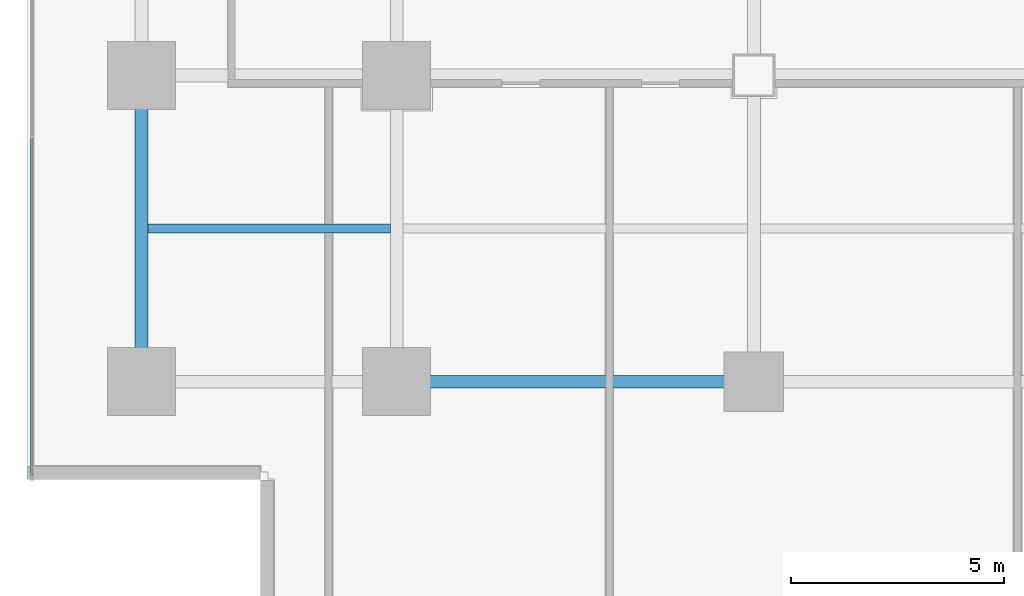
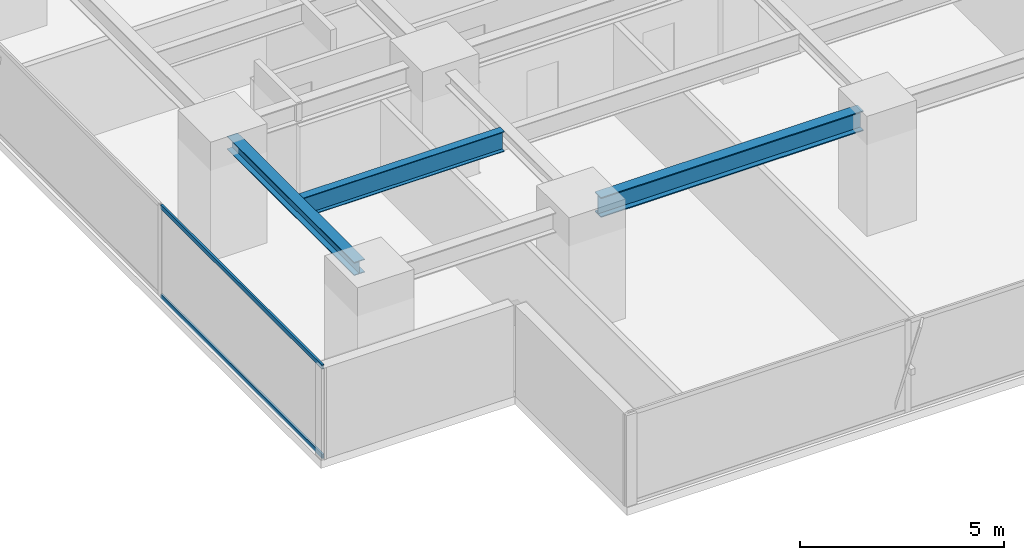
# One storey, part 3 of 34: 3 beams, 2 members, 1 element without a shape of its own.
"""IFC4 building model written with IfcOpenShell, lengths in metres."""

from ifc_helpers import new_model, si_unit, direction, frame, origin, origin_2d, place, context, subcontext, project, spatial, hollow_rectangle, i_section, extrude, source, transform, mapped, material, layer, layer_set, material_profile, profile_set, type_object, element, aggregate, save


model = new_model("IFC4")

# Units and contexts
model_context = context("Model", 3, precision=1e-05, world=origin(), true_north=direction((0.0, 1.0)))
body_context = subcontext(model_context, "Body", "Model", "MODEL_VIEW")
ifc_project = project(units=[si_unit("LENGTHUNIT", "METRE"), si_unit("AREAUNIT", "SQUARE_METRE"), si_unit("VOLUMEUNIT", "CUBIC_METRE"), si_unit("PLANEANGLEUNIT", "RADIAN"), si_unit("MASSUNIT", "GRAM", prefix="KILO")], contexts=[model_context])

# Site, building, storey
site_placement = place(None, origin())
site = spatial("IfcSite", under=ifc_project, at=site_placement, CompositionType="ELEMENT")
building_placement = place(site_placement, origin())
building = spatial("IfcBuilding", under=site, at=building_placement, Name="Sumidabori Civic Tower", CompositionType="ELEMENT")
storey_placement = place(building_placement, frame((0.0, 0.0, 106.39990234375)))
storey = spatial("IfcBuildingStorey", under=building, at=storey_placement, Name="L27", CompositionType="ELEMENT", Elevation=106.39990234375)

# Beams
ifc_material_1 = material(Name="Steel SN490", Category="steel")
ifc_material_profile_1 = material_profile(ifc_material_1, i_section(OverallWidth=0.300048828125, OverallDepth=0.60009765625, WebThickness=0.015380859375, FlangeThickness=0.030029296875, at=origin_2d()), Name="HE 600 B")
ifc_profile_set_1 = profile_set([ifc_material_profile_1], Name="Steel SN490")
beam_type_1 = type_object("IfcBeamType", Name="BM-GIRD-600", PredefinedType="BEAM", material=ifc_profile_set_1)
shared_shape_1 = source(origin(), body_context, "Body", "SweptSolid", [
    extrude(i_section(OverallWidth=0.300048828125, OverallDepth=0.60009765625, WebThickness=0.015380859375, FlangeThickness=0.030029296875, at=origin_2d()), origin(), (0.0, 0.0, 1.0), 7.440185546875),
])
beam_1_placement = place(storey_placement, frame((-16.320068359375, -18.0, 3.06005859375), z_axis=(1.0, 0.0, 0.0), x_axis=(0.0, 1.0, 0.0)))
element("IfcBeam", 1, at=beam_1_placement, inside=storey, type_object=beam_type_1, Name="Primary Girder L27 GX-02", PredefinedType="BEAM", context=body_context, shape_type="MappedRepresentation", body=[
    mapped(shared_shape_1, transform((0.0, 0.0, 0.0), x_axis=(1.0, 0.0, 0.0), y_axis=(0.0, 1.0, 0.0), z_axis=(0.0, 0.0, 1.0), scale=1.0)),
])
ifc_material_profile_2 = material_profile(ifc_material_1, i_section(OverallWidth=0.300048828125, OverallDepth=0.39990234375, WebThickness=0.013427734375, FlangeThickness=0.02392578125, at=origin_2d()), Name="HE 400 B")
ifc_profile_set_2 = profile_set([ifc_material_profile_2], Name="Steel SN490")
beam_type_2 = type_object("IfcBeamType", Name="BM-GIRD-400", PredefinedType="BEAM", material=ifc_profile_set_2)
shared_shape_2 = source(origin(), body_context, "Body", "SweptSolid", [
    extrude(i_section(OverallWidth=0.300048828125, OverallDepth=0.39990234375, WebThickness=0.013427734375, FlangeThickness=0.02392578125, at=origin_2d()), origin(), (0.0, 0.0, 1.0), 6.239990234375),
])
beam_2_placement = place(storey_placement, frame((-22.800048828125, -17.52001953125, 3.16015625), z_axis=(0.0, 1.0, 0.0), x_axis=(-1.0, 0.0, 0.0)))
element("IfcBeam", 2, at=beam_2_placement, inside=storey, type_object=beam_type_2, Name="Primary Girder L27 GY-21", PredefinedType="BEAM", context=body_context, shape_type="MappedRepresentation", body=[
    mapped(shared_shape_2, transform((0.0, 0.0, 0.0), x_axis=(1.0, 0.0, 0.0), y_axis=(0.0, 1.0, 0.0), z_axis=(0.0, 0.0, 1.0), scale=1.0)),
])
ifc_material_profile_3 = material_profile(ifc_material_1, i_section(OverallWidth=0.219970703125, OverallDepth=0.60009765625, WebThickness=0.011962890625, FlangeThickness=0.01904296875, at=origin_2d()), Name="IPE 600")
ifc_profile_set_3 = profile_set([ifc_material_profile_3], Name="Steel SN490")
beam_type_3 = type_object("IfcBeamType", Name="BM-JST-600", PredefinedType="JOIST", material=ifc_profile_set_3)
shared_shape_3 = source(origin(), body_context, "Body", "SweptSolid", [
    extrude(i_section(OverallWidth=0.219970703125, OverallDepth=0.60009765625, WebThickness=0.011962890625, FlangeThickness=0.01904296875, at=origin_2d()), origin(), (0.0, 0.0, 1.0), 5.699951171875),
])
beam_3_placement = place(storey_placement, frame((-22.64990234375, -14.39990234375, 3.06005859375), z_axis=(1.0, 0.0, 0.0), x_axis=(0.0, 1.0, 0.0)))
element("IfcBeam", 3, at=beam_3_placement, inside=storey, type_object=beam_type_3, Name="Outer Bay Floor Joist L27 JSTO-51", PredefinedType="JOIST", context=body_context, shape_type="MappedRepresentation", body=[
    mapped(shared_shape_3, transform((0.0, 0.0, 0.0), x_axis=(1.0, 0.0, 0.0), y_axis=(0.0, 1.0, 0.0), z_axis=(0.0, 0.0, 1.0), scale=1.0)),
])

# Curtain wall, members
ifc_material_2 = material(Name="Anodised Bronze Aluminium AW-6063-T6", Category="aluminium")
ifc_layer = layer(ifc_material_2, 0.179931640625, Name="Anodised Bronze Aluminium AW-6063-T6")
ifc_layer_set = layer_set([ifc_layer], Name="Anodised Bronze Aluminium AW-6063-T6")
curtain_wall_type = type_object("IfcCurtainWallType", Name="CW-SYS-3", PredefinedType="NOTDEFINED", material=ifc_layer_set)
curtain_wall_placement = place(storey_placement, origin())
curtain_wall = element("IfcCurtainWall", 4, at=curtain_wall_placement, inside=storey, type_object=curtain_wall_type, Name="Curtain Wall CW:L27:R10", PredefinedType="NOTDEFINED")
ifc_material_profile_4 = material_profile(ifc_material_2, hollow_rectangle(XDim=0.06005859375, YDim=0.1298828125, WallThickness=0.0048828125, at=origin_2d()), Name="ALU TRANSOM 130x60")
ifc_profile_set_4 = profile_set([ifc_material_profile_4], Name="Anodised Bronze Aluminium AW-6063-T6")
member_type = type_object("IfcMemberType", Name="CW-TRN-130", PredefinedType="USERDEFINED", material=ifc_profile_set_4)
shared_shape_4 = source(origin(), body_context, "Body", "SweptSolid", [
    extrude(hollow_rectangle(XDim=0.06005859375, YDim=0.1298828125, WallThickness=0.0048828125, at=origin_2d()), origin(), (0.0, 0.0, 1.0), 7.9306640625),
])
member_1_placement = place(storey_placement, frame((-25.3798828125, -12.2744140625, 0.030029296875), z_axis=(0.0, -1.0, 0.0), x_axis=(1.0, 0.0, 0.0)))
member_1 = element("IfcMember", 5, at=member_1_placement, type_object=member_type, Name="CW-3 transom 5.1", ObjectType="TRANSOM", PredefinedType="USERDEFINED", context=body_context, shape_type="MappedRepresentation", body=[
    mapped(shared_shape_4, transform((0.0, 0.0, 0.0), x_axis=(1.0, 0.0, 0.0), y_axis=(0.0, 1.0, 0.0), z_axis=(0.0, 0.0, 1.0), scale=1.0)),
])
member_2_placement = place(storey_placement, frame((-25.3798828125, -12.2744140625, 2.710205078125), z_axis=(0.0, -1.0, 0.0), x_axis=(1.0, 0.0, 0.0)))
member_2 = element("IfcMember", 6, at=member_2_placement, type_object=member_type, Name="CW-3 transom 5.2", ObjectType="TRANSOM", PredefinedType="USERDEFINED", context=body_context, shape_type="MappedRepresentation", body=[
    mapped(shared_shape_4, transform((0.0, 0.0, 0.0), x_axis=(1.0, 0.0, 0.0), y_axis=(0.0, 1.0, 0.0), z_axis=(0.0, 0.0, 1.0), scale=1.0)),
])
aggregate(curtain_wall, [member_1, member_2])

save(model, "model.ifc")
